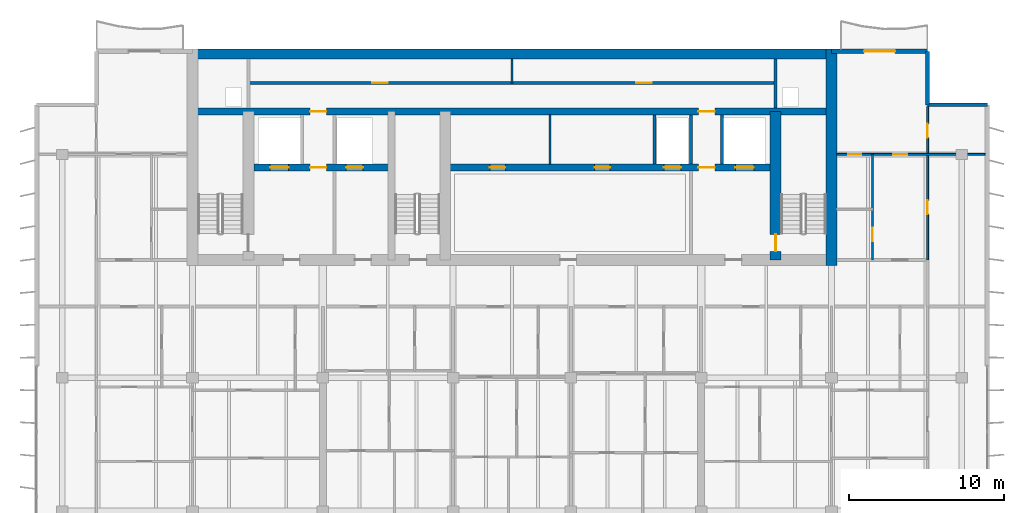
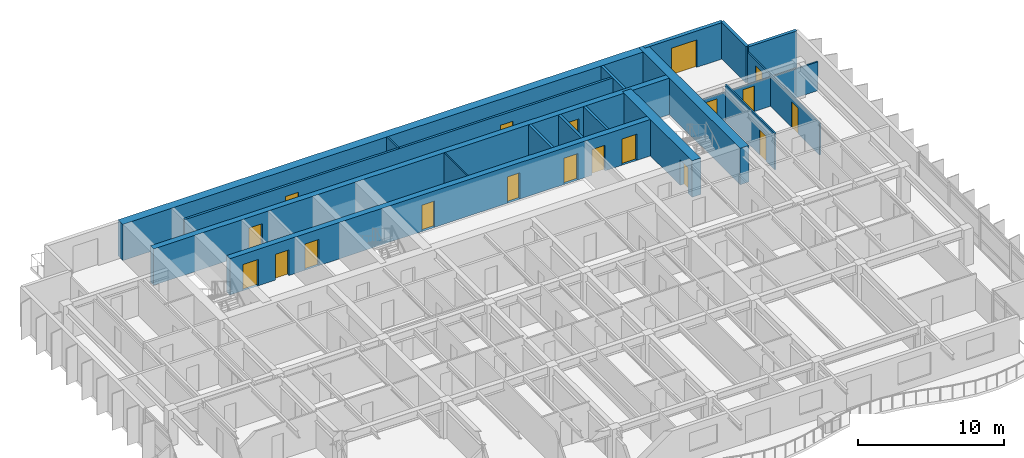
# One storey, part 10 of 17: 19 doors, 18 walls, 19 openings.
"""IFC4 building model written with IfcOpenShell, lengths in metres."""

from ifc_helpers import new_model, si_unit, direction, frame, frame_2d, origin, place, context, subcontext, project, spatial, rectangle, extrude, material, layer, layer_set, type_object, element, fill, save


model = new_model("IFC4")

# Units and contexts
model_context = context("Model", 3, precision=1e-05, world=origin(), true_north=direction((0.0, 1.0)))
body_context = subcontext(model_context, "Body", "Model", "MODEL_VIEW")
ifc_project = project(units=[si_unit("LENGTHUNIT", "METRE"), si_unit("AREAUNIT", "SQUARE_METRE"), si_unit("VOLUMEUNIT", "CUBIC_METRE"), si_unit("PLANEANGLEUNIT", "RADIAN"), si_unit("MASSUNIT", "GRAM", prefix="KILO")], contexts=[model_context])

# Site, building, storey
site_placement = place(None, origin())
site = spatial("IfcSite", under=ifc_project, at=site_placement, CompositionType="ELEMENT")
building_placement = place(site_placement, origin())
building = spatial("IfcBuilding", under=site, at=building_placement, Name="Caelmar Bay Residences", CompositionType="ELEMENT")
storey_placement = place(building_placement, frame((0.0, 0.0, 236.39990234375)))
storey = spatial("IfcBuildingStorey", under=building, at=storey_placement, Name="L66", CompositionType="ELEMENT", Elevation=236.39990234375)

# Wall
ifc_material_1 = material(Name="Concrete f'c 55 MPa (8,000 psi)", Category="concrete")
ifc_layer_1 = layer(ifc_material_1, 0.699951171875)
ifc_layer_set_1 = layer_set([ifc_layer_1], Name="Concrete f'c 55 MPa (8,000 psi)")
wall_type_1 = type_object("IfcWallType", Name="SW-COR-700", PredefinedType="SHEAR", material=ifc_layer_set_1)
wall_1_placement = place(storey_placement, frame((59.5, 36.64990234375, 0.0), z_axis=(0.0, 0.0, 1.0), x_axis=(0.0, 1.0, 0.0)))
element("IfcWall", 1, at=wall_1_placement, inside=storey, type_object=wall_type_1, Name="L66 Rear Core East Shear Wall", PredefinedType="SHEAR", context=body_context, shape_type="SweptSolid", body=[
    extrude(rectangle(XDim=13.9501953125, YDim=0.699951171875, at=frame_2d((6.97509765625, 0.0))), origin(), (0.0, 0.0, 1.0), 3.050048828125),
])

# Wall, opening, door
wall_2_placement = place(storey_placement, frame((55.89990234375, 37.0, 0.0), z_axis=(0.0, 0.0, 1.0), x_axis=(0.0, 1.0, 0.0)))
wall_2 = element("IfcWall", 2, at=wall_2_placement, inside=storey, type_object=wall_type_1, Name="L66 Core Structural Web Wall ST2W", PredefinedType="SHEAR", context=body_context, shape_type="SweptSolid", body=[
    extrude(rectangle(XDim=9.574951171875, YDim=0.699951171875, at=frame_2d((4.78759765625, 0.0))), origin(), (0.0, 0.0, 1.0), 3.050048828125),
])
opening_1_placement = place(wall_2_placement, frame((0.550048828125, 0.0, 0.0)))
opening_1 = element("IfcOpeningElement", 3, at=opening_1_placement, cuts=wall_2, Name="Opening D-L66-110", PredefinedType="OPENING", context=body_context, shape_type="SweptSolid", body=[
    extrude(rectangle(XDim=1.10009765625, YDim=2.14990234375, at=frame_2d((0.550048828125, 1.074951171875))), frame((0.0, 0.35986328125, 0.0), z_axis=(0.0, -1.0, 0.0), x_axis=(1.0, 0.0, 0.0)), (0.0, 0.0, 1.0), 0.719970703125),
])
ifc_material_2 = material(Name="Fire-rated steel and walnut architectural door assembly", Category="steel")
ifc_layer_2 = layer(ifc_material_2, 0.050048828125)
ifc_layer_set_2 = layer_set([ifc_layer_2], Name="Fire-rated steel and walnut architectural door assembly")
door_type_1 = type_object("IfcDoorType", Name="D-STAIR-1100", OperationType="NOTDEFINED", PredefinedType="DOOR", material=ifc_layer_set_2)
door_1_placement = place(opening_1_placement, origin())
door_1 = element("IfcDoor", 4, at=door_1_placement, inside=storey, type_object=door_type_1, Name="L66 Firefighting Lobby East Door", OperationType="SINGLE_SWING_RIGHT", OverallHeight=2.14990234375, OverallWidth=1.10009765625, PredefinedType="DOOR", context=body_context, shape_type="SweptSolid", body=[
    extrude(rectangle(XDim=1.10009765625, YDim=2.14990234375, at=frame_2d((0.550048828125, 1.074951171875))), frame((0.0, 0.02490234375, 0.0), z_axis=(0.0, -1.0, 0.0), x_axis=(1.0, 0.0, 0.0)), (0.0, 0.0, 1.0), 0.050048828125),
])
fill(opening_1, door_1)

# Wall
ifc_layer_3 = layer(ifc_material_1, 0.64990234375)
ifc_layer_set_3 = layer_set([ifc_layer_3], Name="Concrete f'c 55 MPa (8,000 psi)")
wall_type_2 = type_object("IfcWallType", Name="SW-CORN-650", PredefinedType="SHEAR", material=ifc_layer_set_3)
wall_3_placement = place(storey_placement, frame((17.949951171875, 50.27490234375, 0.0), z_axis=(0.0, 0.0, 1.0), x_axis=(1.0, 0.0, 0.0)))
element("IfcWall", 5, at=wall_3_placement, inside=storey, type_object=wall_type_2, Name="L66 Rear Core North Shear Wall", PredefinedType="SHEAR", context=body_context, shape_type="SweptSolid", body=[
    extrude(rectangle(XDim=41.900146484375, YDim=0.64990234375, at=frame_2d((20.9501953125, 0.0))), origin(), (0.0, 0.0, 1.0), 3.050048828125),
])

# Wall, openings, doors
ifc_material_3 = material(Name="Concrete f'c 70 MPa (10,000 psi)", Category="concrete")
ifc_layer_4 = layer(ifc_material_3, 0.449951171875)
ifc_layer_set_4 = layer_set([ifc_layer_4], Name="Concrete f'c 70 MPa (10,000 psi)")
wall_type_3 = type_object("IfcWallType", Name="SW-WEB-450", PredefinedType="SHEAR", material=ifc_layer_set_4)
wall_4_placement = place(storey_placement, frame((22.25, 42.949951171875, 0.0), z_axis=(0.0, 0.0, 1.0), x_axis=(1.0, 0.0, 0.0)))
wall_4 = element("IfcWall", 6, at=wall_4_placement, inside=storey, type_object=wall_type_3, Name="L66 Core Structural Web Wall LFR", PredefinedType="SHEAR", context=body_context, shape_type="SweptSolid", body=[
    extrude(rectangle(XDim=33.300048828125, YDim=0.449951171875, at=frame_2d((16.64990234375, 0.0))), origin(), (0.0, 0.0, 1.0), 3.050048828125),
])
opening_2_placement = place(wall_4_placement, frame((1.050048828125, 0.0, 0.0)))
opening_2 = element("IfcOpeningElement", 7, at=opening_2_placement, cuts=wall_4, Name="Opening LD2", PredefinedType="OPENING", context=body_context, shape_type="SweptSolid", body=[
    extrude(rectangle(XDim=1.199951171875, YDim=2.199951171875, at=frame_2d((0.60009765625, 1.10009765625))), frame((0.0, 0.23486328125, 0.0), z_axis=(0.0, -1.0, 0.0), x_axis=(1.0, 0.0, 0.0)), (0.0, 0.0, 1.0), 0.469970703125),
])
opening_3_placement = place(wall_4_placement, frame((31.050048828125, 0.0, 0.0)))
opening_3 = element("IfcOpeningElement", 8, at=opening_3_placement, cuts=wall_4, Name="Opening LD2", PredefinedType="OPENING", context=body_context, shape_type="SweptSolid", body=[
    extrude(rectangle(XDim=1.199951171875, YDim=2.199951171875, at=frame_2d((0.60009765625, 1.10009765625))), frame((0.0, 0.23486328125, 0.0), z_axis=(0.0, -1.0, 0.0), x_axis=(1.0, 0.0, 0.0)), (0.0, 0.0, 1.0), 0.469970703125),
])
opening_4_placement = place(wall_4_placement, frame((26.449951171875, 0.0, 0.0)))
opening_4 = element("IfcOpeningElement", 9, at=opening_4_placement, cuts=wall_4, Name="Opening LD1", PredefinedType="OPENING", context=body_context, shape_type="SweptSolid", body=[
    extrude(rectangle(XDim=1.10009765625, YDim=2.199951171875, at=frame_2d((0.550048828125, 1.10009765625))), frame((0.0, 0.23486328125, 0.0), z_axis=(0.0, -1.0, 0.0), x_axis=(1.0, 0.0, 0.0)), (0.0, 0.0, 1.0), 0.469970703125),
])
opening_5_placement = place(wall_4_placement, frame((5.949951171875, 0.0, 0.0)))
opening_5 = element("IfcOpeningElement", 10, at=opening_5_placement, cuts=wall_4, Name="Opening LD1", PredefinedType="OPENING", context=body_context, shape_type="SweptSolid", body=[
    extrude(rectangle(XDim=1.10009765625, YDim=2.199951171875, at=frame_2d((0.550048828125, 1.10009765625))), frame((0.0, 0.23486328125, 0.0), z_axis=(0.0, -1.0, 0.0), x_axis=(1.0, 0.0, 0.0)), (0.0, 0.0, 1.0), 0.469970703125),
])
opening_6_placement = place(wall_4_placement, frame((3.625, 0.0, 0.0)))
opening_6 = element("IfcOpeningElement", 11, at=opening_6_placement, cuts=wall_4, Name="Opening D-L66-108", PredefinedType="OPENING", context=body_context, shape_type="SweptSolid", body=[
    extrude(rectangle(XDim=1.050048828125, YDim=2.14990234375, at=frame_2d((0.52490234375, 1.074951171875))), frame((0.0, 0.23486328125, 0.0), z_axis=(0.0, -1.0, 0.0), x_axis=(1.0, 0.0, 0.0)), (0.0, 0.0, 1.0), 0.469970703125),
])
opening_7_placement = place(wall_4_placement, frame((28.675048828125, 0.0, 0.0)))
opening_7 = element("IfcOpeningElement", 12, at=opening_7_placement, cuts=wall_4, Name="Opening D-L66-111", PredefinedType="OPENING", context=body_context, shape_type="SweptSolid", body=[
    extrude(rectangle(XDim=1.050048828125, YDim=2.14990234375, at=frame_2d((0.52490234375, 1.074951171875))), frame((0.0, 0.23486328125, 0.0), z_axis=(0.0, -1.0, 0.0), x_axis=(1.0, 0.0, 0.0)), (0.0, 0.0, 1.0), 0.469970703125),
])
opening_8_placement = place(wall_4_placement, frame((15.22509765625, 0.0, 0.0)))
opening_8 = element("IfcOpeningElement", 13, at=opening_8_placement, cuts=wall_4, Name="Opening D-L66-114", PredefinedType="OPENING", context=body_context, shape_type="SweptSolid", body=[
    extrude(rectangle(XDim=1.0, YDim=2.199951171875, at=frame_2d((0.5, 1.10009765625))), frame((0.0, 0.23486328125, 0.0), z_axis=(0.0, -1.0, 0.0), x_axis=(1.0, 0.0, 0.0)), (0.0, 0.0, 1.0), 0.469970703125),
])
opening_9_placement = place(wall_4_placement, frame((21.97509765625, 0.0, 0.0)))
opening_9 = element("IfcOpeningElement", 14, at=opening_9_placement, cuts=wall_4, Name="Opening D-L66-115", PredefinedType="OPENING", context=body_context, shape_type="SweptSolid", body=[
    extrude(rectangle(XDim=1.0, YDim=2.199951171875, at=frame_2d((0.5, 1.10009765625))), frame((0.0, 0.23486328125, 0.0), z_axis=(0.0, -1.0, 0.0), x_axis=(1.0, 0.0, 0.0)), (0.0, 0.0, 1.0), 0.469970703125),
])
ifc_layer_5 = layer(ifc_material_2, 0.050048828125)
ifc_layer_set_5 = layer_set([ifc_layer_5], Name="Fire-rated steel and walnut architectural door assembly")
door_type_2 = type_object("IfcDoorType", Name="D-FSAE-1050", OperationType="NOTDEFINED", PredefinedType="DOOR", material=ifc_layer_set_5)
door_2_placement = place(opening_6_placement, origin())
door_2 = element("IfcDoor", 15, at=door_2_placement, inside=storey, type_object=door_type_2, Name="L66 Firefighting Lobby West Door", OperationType="SINGLE_SWING_RIGHT", OverallHeight=2.14990234375, OverallWidth=1.050048828125, PredefinedType="DOOR", context=body_context, shape_type="SweptSolid", body=[
    extrude(rectangle(XDim=1.050048828125, YDim=2.14990234375, at=frame_2d((0.52490234375, 1.074951171875))), frame((0.0, 0.02490234375, 0.0), z_axis=(0.0, -1.0, 0.0), x_axis=(1.0, 0.0, 0.0)), (0.0, 0.0, 1.0), 0.050048828125),
])
fill(opening_6, door_2)
door_3_placement = place(opening_7_placement, origin())
door_3 = element("IfcDoor", 16, at=door_3_placement, inside=storey, type_object=door_type_2, Name="L66 Firefighting Lobby East Door", OperationType="SINGLE_SWING_LEFT", OverallHeight=2.14990234375, OverallWidth=1.050048828125, PredefinedType="DOOR", context=body_context, shape_type="SweptSolid", body=[
    extrude(rectangle(XDim=1.050048828125, YDim=2.14990234375, at=frame_2d((0.52490234375, 1.074951171875))), frame((0.0, 0.02490234375, 0.0), z_axis=(0.0, -1.0, 0.0), x_axis=(1.0, 0.0, 0.0)), (0.0, 0.0, 1.0), 0.050048828125),
])
fill(opening_7, door_3)
ifc_material_4 = material(Name="Brushed bronze stainless-steel fire-rated lift landing doors", Category="steel")
ifc_layer_6 = layer(ifc_material_4, 0.050048828125)
ifc_layer_set_6 = layer_set([ifc_layer_6], Name="Brushed bronze stainless-steel fire-rated lift landing doors")
door_type_3 = type_object("IfcDoorType", Name="D-LND-1100", OperationType="DOUBLE_DOOR_SLIDING", PredefinedType="DOOR", material=ifc_layer_set_6)
door_4_placement = place(opening_4_placement, origin())
door_4 = element("IfcDoor", 17, at=door_4_placement, inside=storey, type_object=door_type_3, Name="L66 LP6 Sliding Landing Door", OperationType="DOUBLE_DOOR_SLIDING", OverallHeight=2.199951171875, OverallWidth=1.10009765625, PredefinedType="DOOR", context=body_context, shape_type="SweptSolid", body=[
    extrude(rectangle(XDim=1.10009765625, YDim=2.199951171875, at=frame_2d((0.550048828125, 1.10009765625))), frame((0.0, 0.02490234375, 0.0), z_axis=(0.0, -1.0, 0.0), x_axis=(1.0, 0.0, 0.0)), (0.0, 0.0, 1.0), 0.050048828125),
])
fill(opening_4, door_4)
door_5_placement = place(opening_5_placement, origin())
door_5 = element("IfcDoor", 18, at=door_5_placement, inside=storey, type_object=door_type_3, Name="L66 LP7 Sliding Landing Door", OperationType="DOUBLE_DOOR_SLIDING", OverallHeight=2.199951171875, OverallWidth=1.10009765625, PredefinedType="DOOR", context=body_context, shape_type="SweptSolid", body=[
    extrude(rectangle(XDim=1.10009765625, YDim=2.199951171875, at=frame_2d((0.550048828125, 1.10009765625))), frame((0.0, 0.02490234375, 0.0), z_axis=(0.0, -1.0, 0.0), x_axis=(1.0, 0.0, 0.0)), (0.0, 0.0, 1.0), 0.050048828125),
])
fill(opening_5, door_5)
ifc_material_5 = material(Name="Brushed stainless-steel FSAE sliding landing door", Category="steel")
ifc_layer_7 = layer(ifc_material_5, 0.050048828125)
ifc_layer_set_7 = layer_set([ifc_layer_7], Name="Brushed stainless-steel FSAE sliding landing door")
door_type_4 = type_object("IfcDoorType", Name="D-LND-1200", OperationType="DOUBLE_DOOR_SLIDING", PredefinedType="DOOR", material=ifc_layer_set_7)
door_6_placement = place(opening_2_placement, origin())
door_6 = element("IfcDoor", 19, at=door_6_placement, inside=storey, type_object=door_type_4, Name="L66 LF1 Sliding Landing Door", OperationType="DOUBLE_DOOR_SLIDING", OverallHeight=2.199951171875, OverallWidth=1.199951171875, PredefinedType="DOOR", context=body_context, shape_type="SweptSolid", body=[
    extrude(rectangle(XDim=1.199951171875, YDim=2.199951171875, at=frame_2d((0.60009765625, 1.10009765625))), frame((0.0, 0.02490234375, 0.0), z_axis=(0.0, -1.0, 0.0), x_axis=(1.0, 0.0, 0.0)), (0.0, 0.0, 1.0), 0.050048828125),
])
fill(opening_2, door_6)
door_7_placement = place(opening_3_placement, origin())
door_7 = element("IfcDoor", 20, at=door_7_placement, inside=storey, type_object=door_type_4, Name="L66 LF2 Sliding Landing Door", OperationType="DOUBLE_DOOR_SLIDING", OverallHeight=2.199951171875, OverallWidth=1.199951171875, PredefinedType="DOOR", context=body_context, shape_type="SweptSolid", body=[
    extrude(rectangle(XDim=1.199951171875, YDim=2.199951171875, at=frame_2d((0.60009765625, 1.10009765625))), frame((0.0, 0.02490234375, 0.0), z_axis=(0.0, -1.0, 0.0), x_axis=(1.0, 0.0, 0.0)), (0.0, 0.0, 1.0), 0.050048828125),
])
fill(opening_3, door_7)
ifc_layer_8 = layer(ifc_material_2, 0.050048828125)
ifc_layer_set_8 = layer_set([ifc_layer_8], Name="Fire-rated steel and walnut architectural door assembly")
door_type_5 = type_object("IfcDoorType", Name="D-UNIT-1000", OperationType="NOTDEFINED", PredefinedType="DOOR", material=ifc_layer_set_8)
door_8_placement = place(opening_8_placement, origin())
door_8 = element("IfcDoor", 21, at=door_8_placement, inside=storey, type_object=door_type_5, Name="L66 Collector Study Door", OperationType="SINGLE_SWING_RIGHT", OverallHeight=2.199951171875, OverallWidth=1.0, PredefinedType="DOOR", context=body_context, shape_type="SweptSolid", body=[
    extrude(rectangle(XDim=1.0, YDim=2.199951171875, at=frame_2d((0.5, 1.10009765625))), frame((0.0, 0.02490234375, 0.0), z_axis=(0.0, -1.0, 0.0), x_axis=(1.0, 0.0, 0.0)), (0.0, 0.0, 1.0), 0.050048828125),
])
fill(opening_8, door_8)
door_9_placement = place(opening_9_placement, origin())
door_9 = element("IfcDoor", 22, at=door_9_placement, inside=storey, type_object=door_type_5, Name="L66 Private Dining Room Door", OperationType="SINGLE_SWING_LEFT", OverallHeight=2.199951171875, OverallWidth=1.0, PredefinedType="DOOR", context=body_context, shape_type="SweptSolid", body=[
    extrude(rectangle(XDim=1.0, YDim=2.199951171875, at=frame_2d((0.5, 1.10009765625))), frame((0.0, 0.02490234375, 0.0), z_axis=(0.0, -1.0, 0.0), x_axis=(1.0, 0.0, 0.0)), (0.0, 0.0, 1.0), 0.050048828125),
])
fill(opening_9, door_9)

wall_5_placement = place(storey_placement, frame((18.300048828125, 46.574951171875, 0.0), z_axis=(0.0, 0.0, 1.0), x_axis=(1.0, 0.0, 0.0)))
wall_5 = element("IfcWall", 23, at=wall_5_placement, inside=storey, type_object=wall_type_3, Name="L66 Core Structural Web Wall SRVS", PredefinedType="SHEAR", context=body_context, shape_type="SweptSolid", body=[
    extrude(rectangle(XDim=41.199951171875, YDim=0.449951171875, at=frame_2d((20.60009765625, 0.0))), origin(), (0.0, 0.0, 1.0), 3.050048828125),
])
opening_10_placement = place(wall_5_placement, frame((7.574951171875, 0.0, 0.0)))
opening_10 = element("IfcOpeningElement", 24, at=opening_10_placement, cuts=wall_5, Name="Opening D-L66-116", PredefinedType="OPENING", context=body_context, shape_type="SweptSolid", body=[
    extrude(rectangle(XDim=1.050048828125, YDim=2.14990234375, at=frame_2d((0.52490234375, 1.074951171875))), frame((0.0, 0.23486328125, 0.0), z_axis=(0.0, -1.0, 0.0), x_axis=(1.0, 0.0, 0.0)), (0.0, 0.0, 1.0), 0.469970703125),
])
opening_11_placement = place(wall_5_placement, frame((32.625, 0.0, 0.0)))
opening_11 = element("IfcOpeningElement", 25, at=opening_11_placement, cuts=wall_5, Name="Opening D-L66-117", PredefinedType="OPENING", context=body_context, shape_type="SweptSolid", body=[
    extrude(rectangle(XDim=1.050048828125, YDim=2.14990234375, at=frame_2d((0.52490234375, 1.074951171875))), frame((0.0, 0.23486328125, 0.0), z_axis=(0.0, -1.0, 0.0), x_axis=(1.0, 0.0, 0.0)), (0.0, 0.0, 1.0), 0.469970703125),
])
door_10_placement = place(opening_10_placement, origin())
door_10 = element("IfcDoor", 26, at=door_10_placement, inside=storey, type_object=door_type_2, Name="L66 Core Service Corridor Door", OperationType="SINGLE_SWING_RIGHT", OverallHeight=2.14990234375, OverallWidth=1.050048828125, PredefinedType="DOOR", context=body_context, shape_type="SweptSolid", body=[
    extrude(rectangle(XDim=1.050048828125, YDim=2.14990234375, at=frame_2d((0.52490234375, 1.074951171875))), frame((0.0, 0.02490234375, 0.0), z_axis=(0.0, -1.0, 0.0), x_axis=(1.0, 0.0, 0.0)), (0.0, 0.0, 1.0), 0.050048828125),
])
fill(opening_10, door_10)
door_11_placement = place(opening_11_placement, origin())
door_11 = element("IfcDoor", 27, at=door_11_placement, inside=storey, type_object=door_type_2, Name="L66 Core Service Corridor Door", OperationType="SINGLE_SWING_LEFT", OverallHeight=2.14990234375, OverallWidth=1.050048828125, PredefinedType="DOOR", context=body_context, shape_type="SweptSolid", body=[
    extrude(rectangle(XDim=1.050048828125, YDim=2.14990234375, at=frame_2d((0.52490234375, 1.074951171875))), frame((0.0, 0.02490234375, 0.0), z_axis=(0.0, -1.0, 0.0), x_axis=(1.0, 0.0, 0.0)), (0.0, 0.0, 1.0), 0.050048828125),
])
fill(opening_11, door_11)

ifc_material_6 = material(Name="Double-stud acoustic fire-rated gypsum partition 180 mm")
ifc_layer_9 = layer(ifc_material_6, 0.179931640625)
ifc_layer_set_9 = layer_set([ifc_layer_9], Name="Double-stud acoustic fire-rated gypsum partition 180 mm")
wall_type_4 = type_object("IfcWallType", Name="W-COR-200", PredefinedType="PARTITIONING", material=ifc_layer_set_9)
wall_6_placement = place(storey_placement, frame((21.89990234375, 48.39990234375, 0.0), z_axis=(0.0, 0.0, 1.0), x_axis=(1.0, 0.0, 0.0)))
wall_6 = element("IfcWall", 28, at=wall_6_placement, inside=storey, type_object=wall_type_4, Name="L66 Partition Wall H091", PredefinedType="PARTITIONING", context=body_context, shape_type="SweptSolid", body=[
    extrude(rectangle(XDim=34.0, YDim=0.179931640625, at=frame_2d((17.0, 0.0))), origin(), (0.0, 0.0, 1.0), 3.050048828125),
])
opening_12_placement = place(wall_6_placement, frame((8.0, 0.0, 0.0)))
opening_12 = element("IfcOpeningElement", 29, at=opening_12_placement, cuts=wall_6, Name="Opening D-L66-118", PredefinedType="OPENING", context=body_context, shape_type="SweptSolid", body=[
    extrude(rectangle(XDim=1.0, YDim=2.199951171875, at=frame_2d((0.5, 1.10009765625))), frame((0.0, 0.099853515625, 0.0), z_axis=(0.0, -1.0, 0.0), x_axis=(1.0, 0.0, 0.0)), (0.0, 0.0, 1.0), 0.199951171875),
])
opening_13_placement = place(wall_6_placement, frame((25.0, 0.0, 0.0)))
opening_13 = element("IfcOpeningElement", 30, at=opening_13_placement, cuts=wall_6, Name="Opening D-L66-119", PredefinedType="OPENING", context=body_context, shape_type="SweptSolid", body=[
    extrude(rectangle(XDim=1.0, YDim=2.199951171875, at=frame_2d((0.5, 1.10009765625))), frame((0.0, 0.099853515625, 0.0), z_axis=(0.0, -1.0, 0.0), x_axis=(1.0, 0.0, 0.0)), (0.0, 0.0, 1.0), 0.199951171875),
])
door_12_placement = place(opening_12_placement, origin())
door_12 = element("IfcDoor", 31, at=door_12_placement, inside=storey, type_object=door_type_5, Name="L66 Building Management Office Door", OperationType="SINGLE_SWING_RIGHT", OverallHeight=2.199951171875, OverallWidth=1.0, PredefinedType="DOOR", context=body_context, shape_type="SweptSolid", body=[
    extrude(rectangle(XDim=1.0, YDim=2.199951171875, at=frame_2d((0.5, 1.10009765625))), frame((0.0, 0.02490234375, 0.0), z_axis=(0.0, -1.0, 0.0), x_axis=(1.0, 0.0, 0.0)), (0.0, 0.0, 1.0), 0.050048828125),
])
fill(opening_12, door_12)
door_13_placement = place(opening_13_placement, origin())
door_13 = element("IfcDoor", 32, at=door_13_placement, inside=storey, type_object=door_type_5, Name="L66 Concierge Operations Office Door", OperationType="SINGLE_SWING_LEFT", OverallHeight=2.199951171875, OverallWidth=1.0, PredefinedType="DOOR", context=body_context, shape_type="SweptSolid", body=[
    extrude(rectangle(XDim=1.0, YDim=2.199951171875, at=frame_2d((0.5, 1.10009765625))), frame((0.0, 0.02490234375, 0.0), z_axis=(0.0, -1.0, 0.0), x_axis=(1.0, 0.0, 0.0)), (0.0, 0.0, 1.0), 0.050048828125),
])
fill(opening_13, door_13)

# Walls
ifc_material_7 = material(Name="Precast concrete f'c 40 MPa (6,000 psi)", Category="concrete")
ifc_layer_10 = layer(ifc_material_7, 0.25)
ifc_layer_set_10 = layer_set([ifc_layer_10], Name="Precast concrete f'c 40 MPa (6,000 psi)")
wall_type_5 = type_object("IfcWallType", Name="W-EXT-250", PredefinedType="ELEMENTEDWALL", material=ifc_layer_set_10)
wall_7_placement = place(storey_placement, frame((65.699951171875, 50.449951171875, 0.0), z_axis=(0.0, 0.0, 1.0), x_axis=(0.0, -1.0, 0.0)))
element("IfcWall", 33, at=wall_7_placement, inside=storey, type_object=wall_type_5, Name="L66 NNE-V Notch Wall", PredefinedType="ELEMENTEDWALL", context=body_context, shape_type="SweptSolid", body=[
    extrude(rectangle(XDim=3.449951171875, YDim=0.25, at=frame_2d((1.72509765625, 0.0))), origin(), (0.0, 0.0, 1.0), 3.050048828125),
])
wall_8_placement = place(storey_placement, frame((65.699951171875, 47.0, 0.0), z_axis=(0.0, 0.0, 1.0), x_axis=(1.0, 0.0, 0.0)))
element("IfcWall", 34, at=wall_8_placement, inside=storey, type_object=wall_type_5, Name="L66 NNE-H Notch Wall", PredefinedType="ELEMENTEDWALL", context=body_context, shape_type="SweptSolid", body=[
    extrude(rectangle(XDim=3.85009765625, YDim=0.25, at=frame_2d((1.925048828125, 0.0))), origin(), (0.0, 0.0, 1.0), 3.050048828125),
])

# Wall, opening, door
ifc_layer_11 = layer(ifc_material_7, 0.300048828125)
ifc_layer_set_11 = layer_set([ifc_layer_11], Name="Precast concrete f'c 40 MPa (6,000 psi)")
wall_type_6 = type_object("IfcWallType", Name="W-EXT-300", PredefinedType="STANDARD", material=ifc_layer_set_11)
wall_9_placement = place(storey_placement, frame((59.5, 50.449951171875, 0.0), z_axis=(0.0, 0.0, 1.0), x_axis=(1.0, 0.0, 0.0)))
wall_9 = element("IfcWall", 35, at=wall_9_placement, inside=storey, type_object=wall_type_6, Name="L66 North-East Wing Exterior Wall", PredefinedType="STANDARD", context=body_context, shape_type="SweptSolid", body=[
    extrude(rectangle(XDim=6.199951171875, YDim=0.300048828125, at=frame_2d((3.10009765625, 0.0))), origin(), (0.0, 0.0, 1.0), 3.050048828125),
])
opening_14_placement = place(wall_9_placement, frame((2.10009765625, 0.0, 0.0)))
opening_14 = element("IfcOpeningElement", 36, at=opening_14_placement, cuts=wall_9, Name="Opening L66-BDNE", PredefinedType="OPENING", context=body_context, shape_type="SweptSolid", body=[
    extrude(rectangle(XDim=2.0, YDim=2.300048828125, at=frame_2d((1.0, 1.14990234375))), frame((0.0, 0.159912109375, 0.0), z_axis=(0.0, -1.0, 0.0), x_axis=(1.0, 0.0, 0.0)), (0.0, 0.0, 1.0), 0.320068359375),
])
ifc_material_8 = material(Name="Anodised bronze thermally broken sliding glass door", Category="glass")
ifc_layer_12 = layer(ifc_material_8, 0.050048828125)
ifc_layer_set_12 = layer_set([ifc_layer_12], Name="Anodised bronze thermally broken sliding glass door")
door_type_6 = type_object("IfcDoorType", Name="D-BAL-2000", OperationType="DOUBLE_DOOR_SLIDING", PredefinedType="DOOR", material=ifc_layer_set_12)
door_14_placement = place(opening_14_placement, origin())
door_14 = element("IfcDoor", 37, at=door_14_placement, inside=storey, type_object=door_type_6, Name="L66 North-East Balcony Door", OperationType="DOUBLE_DOOR_SLIDING", OverallHeight=2.300048828125, OverallWidth=2.0, PredefinedType="DOOR", context=body_context, shape_type="SweptSolid", body=[
    extrude(rectangle(XDim=2.0, YDim=2.300048828125, at=frame_2d((1.0, 1.14990234375))), frame((0.0, 0.02490234375, 0.0), z_axis=(0.0, -1.0, 0.0), x_axis=(1.0, 0.0, 0.0)), (0.0, 0.0, 1.0), 0.050048828125),
])
fill(opening_14, door_14)

# Walls
ifc_material_9 = material(Name="Fire-rated masonry and gypsum shaftliner assembly 200 mm", Category="masonry")
ifc_layer_13 = layer(ifc_material_9, 0.199951171875)
ifc_layer_set_13 = layer_set([ifc_layer_13], Name="Fire-rated masonry and gypsum shaftliner assembly 200 mm")
wall_type_7 = type_object("IfcWallType", Name="W-FSAE-200", PredefinedType="PARTITIONING", material=ifc_layer_set_13)
for number, where, z_axis, x_axis, name in (
    (38, (48.10009765625, 43.169921875, 0.0), (0.0, 0.0, 1.0), (0.0, 1.0, 0.0), "L66 Partition Wall V041"),
    (39, (50.449951171875, 43.169921875, 0.0), (0.0, 0.0, 1.0), (0.0, 1.0, 0.0), "L66 Partition Wall V044"),
    (40, (52.449951171875, 43.169921875, 0.0), (0.0, 0.0, 1.0), (0.0, 1.0, 0.0), "L66 Partition Wall V048"),
):
    element("IfcWall", number, at=place(storey_placement, frame(where, z_axis=z_axis, x_axis=x_axis)), inside=storey, type_object=wall_type_7, Name=name, PredefinedType="PARTITIONING", context=body_context, shape_type="SweptSolid", body=[
        extrude(rectangle(XDim=3.18505859375, YDim=0.199951171875, at=frame_2d((1.592529296875, 0.0))), origin(), (0.0, 0.0, 1.0), 3.050048828125),
    ])
wall_10_placement = place(storey_placement, frame((55.89990234375, 46.794921875, 0.0), z_axis=(0.0, 0.0, 1.0), x_axis=(0.0, 1.0, 0.0)))
element("IfcWall", 41, at=wall_10_placement, inside=storey, type_object=wall_type_7, Name="L66 Partition Wall V050", PredefinedType="PARTITIONING", context=body_context, shape_type="SweptSolid", body=[
    extrude(rectangle(XDim=3.16015625, YDim=0.199951171875, at=frame_2d((1.580078125, 0.0))), origin(), (0.0, 0.0, 1.0), 3.050048828125),
])
ifc_material_10 = material(Name="Anodised bronze framed acoustic sliding study partition 100 mm")
ifc_layer_14 = layer(ifc_material_10, 0.10009765625)
ifc_layer_set_14 = layer_set([ifc_layer_14], Name="Anodised bronze framed acoustic sliding study partition 100 mm")
wall_type_8 = type_object("IfcWallType", Name="W-MOV-100", PredefinedType="MOVABLE", material=ifc_layer_set_14)
wall_11_placement = place(storey_placement, frame((41.35009765625, 43.169921875, 0.0), z_axis=(0.0, 0.0, 1.0), x_axis=(0.0, 1.0, 0.0)))
element("IfcWall", 42, at=wall_11_placement, inside=storey, type_object=wall_type_8, Name="L66 Partition Wall V033", PredefinedType="MOVABLE", context=body_context, shape_type="SweptSolid", body=[
    extrude(rectangle(XDim=3.18505859375, YDim=0.10009765625, at=frame_2d((1.592529296875, 0.0))), origin(), (0.0, 0.0, 1.0), 3.050048828125),
])
ifc_material_11 = material(Name="Acoustic metal-stud gypsum partition 120 mm")
ifc_layer_15 = layer(ifc_material_11, 0.1201171875)
ifc_layer_set_15 = layer_set([ifc_layer_15], Name="Acoustic metal-stud gypsum partition 120 mm")
wall_type_9 = type_object("IfcWallType", Name="W-PRT-120", PredefinedType="PARTITIONING", material=ifc_layer_set_15)
wall_12_placement = place(storey_placement, frame((38.89990234375, 48.39990234375, 0.0), z_axis=(0.0, 0.0, 1.0), x_axis=(0.0, 1.0, 0.0)))
element("IfcWall", 43, at=wall_12_placement, inside=storey, type_object=wall_type_9, Name="L66 Partition Wall V030", PredefinedType="PARTITIONING", context=body_context, shape_type="SweptSolid", body=[
    extrude(rectangle(XDim=1.55517578125, YDim=0.1201171875, at=frame_2d((0.777587890625, 0.0))), origin(), (0.0, 0.0, 1.0), 3.050048828125),
])

# Wall, opening, door
wall_13_placement = place(storey_placement, frame((62.14990234375, 37.0, 0.0), z_axis=(0.0, 0.0, 1.0), x_axis=(0.0, 1.0, 0.0)))
wall_13 = element("IfcWall", 44, at=wall_13_placement, inside=storey, type_object=wall_type_9, Name="L66 Partition Wall V056", PredefinedType="PARTITIONING", context=body_context, shape_type="SweptSolid", body=[
    extrude(rectangle(XDim=6.800048828125, YDim=0.1201171875, at=frame_2d((3.39990234375, 0.0))), origin(), (0.0, 0.0, 1.0), 3.050048828125),
])
opening_15_placement = place(wall_13_placement, frame((1.20703125, 0.0, 0.0)))
opening_15 = element("IfcOpeningElement", 45, at=opening_15_placement, cuts=wall_13, Name="Opening D-L66-170", PredefinedType="OPENING", context=body_context, shape_type="SweptSolid", body=[
    extrude(rectangle(XDim=0.85009765625, YDim=2.10009765625, at=frame_2d((0.425048828125, 1.050048828125))), frame((0.0, 0.070068359375, 0.0), z_axis=(0.0, -1.0, 0.0), x_axis=(1.0, 0.0, 0.0)), (0.0, 0.0, 1.0), 0.14013671875),
])
ifc_material_12 = material(Name="Solid walnut timber interior door leaf and frame", Category="wood")
ifc_layer_16 = layer(ifc_material_12, 0.050048828125)
ifc_layer_set_16 = layer_set([ifc_layer_16], Name="Solid walnut timber interior door leaf and frame")
door_type_7 = type_object("IfcDoorType", Name="D-BATH-850", OperationType="NOTDEFINED", PredefinedType="DOOR", material=ifc_layer_set_16)
door_15_placement = place(opening_15_placement, origin())
door_15 = element("IfcDoor", 46, at=door_15_placement, inside=storey, type_object=door_type_7, Name="L66 Residence EA Walk-In Closet Door", OperationType="SINGLE_SWING_RIGHT", OverallHeight=2.10009765625, OverallWidth=0.85009765625, PredefinedType="DOOR", context=body_context, shape_type="SweptSolid", body=[
    extrude(rectangle(XDim=0.85009765625, YDim=2.10009765625, at=frame_2d((0.425048828125, 1.050048828125))), frame((0.0, 0.02490234375, 0.0), z_axis=(0.0, -1.0, 0.0), x_axis=(1.0, 0.0, 0.0)), (0.0, 0.0, 1.0), 0.050048828125),
])
fill(opening_15, door_15)

# Wall, openings, doors
wall_14_placement = place(storey_placement, frame((65.699951171875, 37.0048828125, 0.0), z_axis=(0.0, 0.0, 1.0), x_axis=(0.0, 1.0, 0.0)))
wall_14 = element("IfcWall", 47, at=wall_14_placement, inside=storey, type_object=wall_type_9, Name="L66 Partition Wall V062", PredefinedType="PARTITIONING", context=body_context, shape_type="SweptSolid", body=[
    extrude(rectangle(XDim=9.875, YDim=0.1201171875, at=frame_2d((4.9375, 0.0))), origin(), (0.0, 0.0, 1.0), 2.629150390625),
])
opening_16_placement = place(wall_14_placement, frame((2.947509765625, 0.0, 0.0)))
opening_16 = element("IfcOpeningElement", 48, at=opening_16_placement, cuts=wall_14, Name="Opening D-L66-172", PredefinedType="OPENING", context=body_context, shape_type="SweptSolid", body=[
    extrude(rectangle(XDim=0.89990234375, YDim=2.14990234375, at=frame_2d((0.449951171875, 1.074951171875))), frame((0.0, 0.070068359375, 0.0), z_axis=(0.0, -1.0, 0.0), x_axis=(1.0, 0.0, 0.0)), (0.0, 0.0, 1.0), 0.14013671875),
])
opening_17_placement = place(wall_14_placement, frame((7.885009765625, 0.0, 0.0)))
opening_17 = element("IfcOpeningElement", 49, at=opening_17_placement, cuts=wall_14, Name="Opening D-L66-173", PredefinedType="OPENING", context=body_context, shape_type="SweptSolid", body=[
    extrude(rectangle(XDim=0.89990234375, YDim=2.14990234375, at=frame_2d((0.449951171875, 1.074951171875))), frame((0.0, 0.070068359375, 0.0), z_axis=(0.0, -1.0, 0.0), x_axis=(1.0, 0.0, 0.0)), (0.0, 0.0, 1.0), 0.14013671875),
])
ifc_layer_17 = layer(ifc_material_12, 0.050048828125)
ifc_layer_set_17 = layer_set([ifc_layer_17], Name="Solid walnut timber interior door leaf and frame")
door_type_8 = type_object("IfcDoorType", Name="D-ROOM-900", OperationType="NOTDEFINED", PredefinedType="DOOR", material=ifc_layer_set_17)
door_16_placement = place(opening_16_placement, origin())
door_16 = element("IfcDoor", 50, at=door_16_placement, inside=storey, type_object=door_type_8, Name="L66 Residence EA Sun Study Door", OperationType="SINGLE_SWING_RIGHT", OverallHeight=2.14990234375, OverallWidth=0.89990234375, PredefinedType="DOOR", context=body_context, shape_type="SweptSolid", body=[
    extrude(rectangle(XDim=0.89990234375, YDim=2.14990234375, at=frame_2d((0.449951171875, 1.074951171875))), frame((0.0, 0.02490234375, 0.0), z_axis=(0.0, -1.0, 0.0), x_axis=(1.0, 0.0, 0.0)), (0.0, 0.0, 1.0), 0.050048828125),
])
fill(opening_16, door_16)
door_17_placement = place(opening_17_placement, origin())
door_17 = element("IfcDoor", 51, at=door_17_placement, inside=storey, type_object=door_type_8, Name="L66 Residence EA North Sitting Alcove Door", OperationType="SINGLE_SWING_LEFT", OverallHeight=2.14990234375, OverallWidth=0.89990234375, PredefinedType="DOOR", context=body_context, shape_type="SweptSolid", body=[
    extrude(rectangle(XDim=0.89990234375, YDim=2.14990234375, at=frame_2d((0.449951171875, 1.074951171875))), frame((0.0, 0.02490234375, 0.0), z_axis=(0.0, -1.0, 0.0), x_axis=(1.0, 0.0, 0.0)), (0.0, 0.0, 1.0), 0.050048828125),
])
fill(opening_17, door_17)

wall_15_placement = place(storey_placement, frame((59.844970703125, 43.800048828125, 0.0), z_axis=(0.0, 0.0, 1.0), x_axis=(1.0, 0.0, 0.0)))
wall_15 = element("IfcWall", 52, at=wall_15_placement, inside=storey, type_object=wall_type_9, Name="L66 Partition Wall H090", PredefinedType="PARTITIONING", context=body_context, shape_type="SweptSolid", body=[
    extrude(rectangle(XDim=9.56005859375, YDim=0.1201171875, at=frame_2d((4.780029296875, 0.0))), origin(), (0.0, 0.0, 1.0), 2.418212890625),
])
opening_18_placement = place(wall_15_placement, frame((3.6298828125, 0.0, 0.0)))
opening_18 = element("IfcOpeningElement", 53, at=opening_18_placement, cuts=wall_15, Name="Opening D-L66-169", PredefinedType="OPENING", context=body_context, shape_type="SweptSolid", body=[
    extrude(rectangle(XDim=0.89990234375, YDim=2.14990234375, at=frame_2d((0.449951171875, 1.074951171875))), frame((0.0, 0.070068359375, 0.0), z_axis=(0.0, -1.0, 0.0), x_axis=(1.0, 0.0, 0.0)), (0.0, 0.0, 1.0), 0.14013671875),
])
opening_19_placement = place(wall_15_placement, frame((0.7275390625, 0.0, 0.0)))
opening_19 = element("IfcOpeningElement", 54, at=opening_19_placement, cuts=wall_15, Name="Opening D-L66-171", PredefinedType="OPENING", context=body_context, shape_type="SweptSolid", body=[
    extrude(rectangle(XDim=0.85009765625, YDim=2.10009765625, at=frame_2d((0.425048828125, 1.050048828125))), frame((0.0, 0.070068359375, 0.0), z_axis=(0.0, -1.0, 0.0), x_axis=(1.0, 0.0, 0.0)), (0.0, 0.0, 1.0), 0.14013671875),
])
door_18_placement = place(opening_19_placement, origin())
door_18 = element("IfcDoor", 55, at=door_18_placement, inside=storey, type_object=door_type_7, Name="L66 Residence EA Bathroom Door", OperationType="SINGLE_SWING_LEFT", OverallHeight=2.10009765625, OverallWidth=0.85009765625, PredefinedType="DOOR", context=body_context, shape_type="SweptSolid", body=[
    extrude(rectangle(XDim=0.85009765625, YDim=2.10009765625, at=frame_2d((0.425048828125, 1.050048828125))), frame((0.0, 0.02490234375, 0.0), z_axis=(0.0, -1.0, 0.0), x_axis=(1.0, 0.0, 0.0)), (0.0, 0.0, 1.0), 0.050048828125),
])
fill(opening_19, door_18)
door_19_placement = place(opening_18_placement, origin())
door_19 = element("IfcDoor", 56, at=door_19_placement, inside=storey, type_object=door_type_8, Name="L66 Residence EA Studio Living and Sleeping Room Door", OperationType="SINGLE_SWING_LEFT", OverallHeight=2.14990234375, OverallWidth=0.89990234375, PredefinedType="DOOR", context=body_context, shape_type="SweptSolid", body=[
    extrude(rectangle(XDim=0.89990234375, YDim=2.14990234375, at=frame_2d((0.449951171875, 1.074951171875))), frame((0.0, 0.02490234375, 0.0), z_axis=(0.0, -1.0, 0.0), x_axis=(1.0, 0.0, 0.0)), (0.0, 0.0, 1.0), 0.050048828125),
])
fill(opening_18, door_19)

save(model, "model.ifc")
